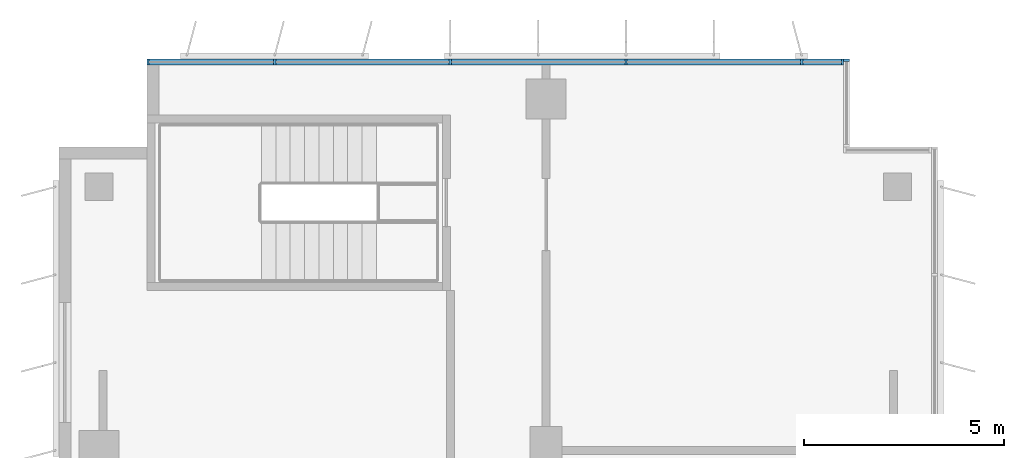
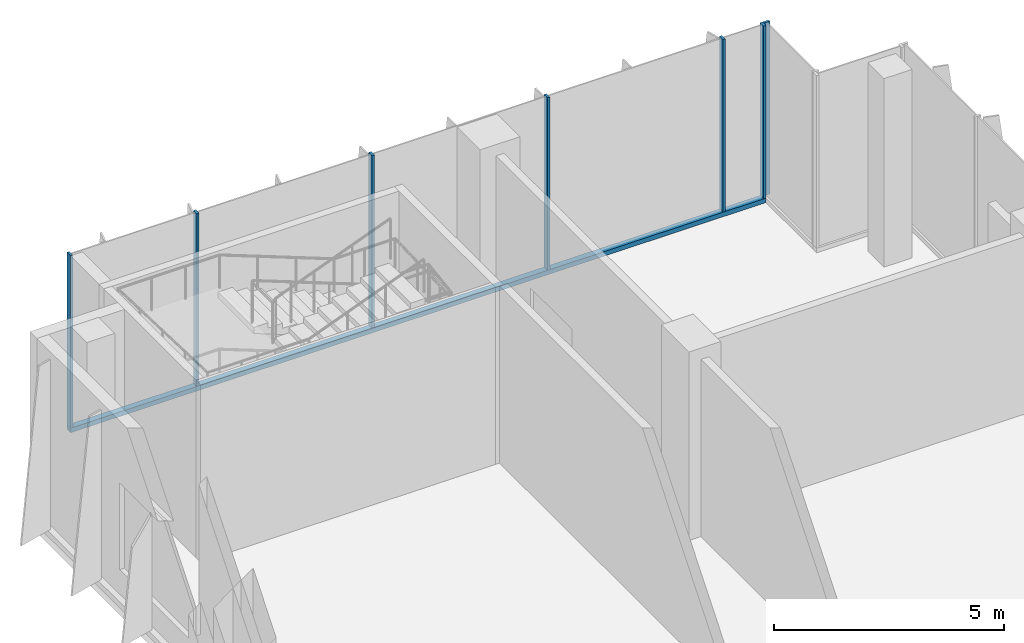
# One storey, part 8 of 17: 8 members, 2 elements without a shape of their own.
"""IFC4 building model written with IfcOpenShell, lengths in metres."""

from ifc_helpers import new_model, si_unit, direction, frame, origin, origin_2d, place, context, subcontext, project, spatial, rectangle, extrude, source, transform, mapped, material, material_profile, profile_set, type_object, element, aggregate, save


model = new_model("IFC4")

# Units and contexts
model_context = context("Model", 3, precision=1e-05, world=origin(), true_north=direction((0.0, 1.0)))
body_context = subcontext(model_context, "Body", "Model", "MODEL_VIEW")
ifc_project = project(units=[si_unit("LENGTHUNIT", "METRE"), si_unit("AREAUNIT", "SQUARE_METRE"), si_unit("VOLUMEUNIT", "CUBIC_METRE"), si_unit("PLANEANGLEUNIT", "RADIAN"), si_unit("MASSUNIT", "GRAM", prefix="KILO")], contexts=[model_context])

# Site, building, storey
site_placement = place(None, origin())
site = spatial("IfcSite", under=ifc_project, at=site_placement, CompositionType="ELEMENT")
building_placement = place(site_placement, origin())
building = spatial("IfcBuilding", under=site, at=building_placement, Name="Kemantara Hotel Tower", CompositionType="ELEMENT")
storey_placement = place(building_placement, frame((0.0, 0.0, 193.800048828125)))
storey = spatial("IfcBuildingStorey", under=building, at=storey_placement, Name="L48", CompositionType="ELEMENT", Elevation=193.800048828125)

# Curtain wall, members
ifc_material_1 = material(Name="Low-E tinted double insulated glass 36 mm", Category="glass")
curtain_wall_type = type_object("IfcCurtainWallType", Name="TOWER CURTAIN WALL, FRONT FACES", PredefinedType="USERDEFINED", material=ifc_material_1)
curtain_wall_1_placement = place(storey_placement, origin())
curtain_wall_1 = element("IfcCurtainWall", 1, at=curtain_wall_1_placement, inside=storey, type_object=curtain_wall_type, Name="CW4 L48 T3-R02-1", ObjectType="TOWER CURTAIN WALL, FRONT FACES", PredefinedType="USERDEFINED")
ifc_material_2 = material(Name="Aluminium 6063-T6 bronze anodised", Category="aluminium")
ifc_material_profile_1 = material_profile(ifc_material_2, rectangle(XDim=0.14990234375, YDim=0.1201171875, at=origin_2d()), Name="TOWER CURTAIN WALL, FRONT FACES TRANSOM")
ifc_profile_set_1 = profile_set([ifc_material_profile_1], Name="Aluminium 6063-T6 bronze anodised")
member_type_1 = type_object("IfcMemberType", Name="TOWER CURTAIN WALL, FRONT FACES TRANSOM", PredefinedType="USERDEFINED", material=ifc_profile_set_1)
member_1_placement = place(storey_placement, frame((19.64990234375, 63.52490234375, 0.06005859375), z_axis=(-1.0, 0.0, 0.0), x_axis=(0.0, -1.0, 0.0)))
member_1 = element("IfcMember", 2, at=member_1_placement, type_object=member_type_1, Name="CW4 sill transom T3-R02-1", ObjectType="TRANSOM", PredefinedType="USERDEFINED", context=body_context, shape_type="SweptSolid", body=[
    extrude(rectangle(XDim=0.14990234375, YDim=0.1201171875, at=origin_2d()), origin(), (0.0, 0.0, 1.0), 17.449951171875),
])
ifc_material_profile_2 = material_profile(ifc_material_2, rectangle(XDim=0.14990234375, YDim=0.06005859375, at=origin_2d()), Name="TOWER CURTAIN WALL, FRONT FACES MULLION")
ifc_profile_set_2 = profile_set([ifc_material_profile_2], Name="Aluminium 6063-T6 bronze anodised")
member_type_2 = type_object("IfcMemberType", Name="TOWER CURTAIN WALL, FRONT FACES MULLION", PredefinedType="MULLION", material=ifc_profile_set_2)
shared_shape = source(origin(), body_context, "Body", "SweptSolid", [
    extrude(rectangle(XDim=0.14990234375, YDim=0.06005859375, at=origin_2d()), origin(), (0.0, 0.0, 1.0), 4.580078125),
])
member_2_placement = place(storey_placement, frame((19.6201171875, 63.52490234375, 0.119873046875), z_axis=(0.0, 0.0, 1.0), x_axis=(0.0, -1.0, 0.0)))
member_2 = element("IfcMember", 3, at=member_2_placement, type_object=member_type_2, Name="CW4 mullion T3-R02-1.1", PredefinedType="MULLION", context=body_context, shape_type="MappedRepresentation", body=[
    mapped(shared_shape, transform((0.0, 0.0, 0.0))),
])
member_3_placement = place(storey_placement, frame((18.60009765625, 63.52490234375, 0.119873046875), z_axis=(0.0, 0.0, 1.0), x_axis=(0.0, -1.0, 0.0)))
member_3 = element("IfcMember", 4, at=member_3_placement, type_object=member_type_2, Name="CW4 mullion T3-R02-1.2", PredefinedType="MULLION", context=body_context, shape_type="MappedRepresentation", body=[
    mapped(shared_shape, transform((0.0, 0.0, 0.0))),
])
member_4_placement = place(storey_placement, frame((14.199951171875, 63.52490234375, 0.119873046875), z_axis=(0.0, 0.0, 1.0), x_axis=(0.0, -1.0, 0.0)))
member_4 = element("IfcMember", 5, at=member_4_placement, type_object=member_type_2, Name="CW4 mullion T3-R02-1.3", PredefinedType="MULLION", context=body_context, shape_type="MappedRepresentation", body=[
    mapped(shared_shape, transform((0.0, 0.0, 0.0))),
])
member_5_placement = place(storey_placement, frame((9.800048828125, 63.52490234375, 0.119873046875), z_axis=(0.0, 0.0, 1.0), x_axis=(0.0, -1.0, 0.0)))
member_5 = element("IfcMember", 6, at=member_5_placement, type_object=member_type_2, Name="CW4 mullion T3-R02-1.4", PredefinedType="MULLION", context=body_context, shape_type="MappedRepresentation", body=[
    mapped(shared_shape, transform((0.0, 0.0, 0.0))),
])
member_6_placement = place(storey_placement, frame((5.39990234375, 63.52490234375, 0.119873046875), z_axis=(0.0, 0.0, 1.0), x_axis=(0.0, -1.0, 0.0)))
member_6 = element("IfcMember", 7, at=member_6_placement, type_object=member_type_2, Name="CW4 mullion T3-R02-1.5", PredefinedType="MULLION", context=body_context, shape_type="MappedRepresentation", body=[
    mapped(shared_shape, transform((0.0, 0.0, 0.0))),
])
member_7_placement = place(storey_placement, frame((2.22998046875, 63.52490234375, 0.119873046875), z_axis=(0.0, 0.0, 1.0), x_axis=(0.0, -1.0, 0.0)))
member_7 = element("IfcMember", 8, at=member_7_placement, type_object=member_type_2, Name="CW4 mullion T3-R02-1.6", PredefinedType="MULLION", context=body_context, shape_type="MappedRepresentation", body=[
    mapped(shared_shape, transform((0.0, 0.0, 0.0))),
])
aggregate(curtain_wall_1, [member_1, member_2, member_3, member_4, member_5, member_6, member_7])

# Curtain wall, member
curtain_wall_2_placement = place(storey_placement, origin())
curtain_wall_2 = element("IfcCurtainWall", 9, at=curtain_wall_2_placement, inside=storey, type_object=curtain_wall_type, Name="CW4 L48 T3-R01-1", ObjectType="TOWER CURTAIN WALL, FRONT FACES", PredefinedType="USERDEFINED")
member_8_placement = place(storey_placement, frame((19.72509765625, 63.570068359375, 0.119873046875), z_axis=(0.0, 0.0, 1.0), x_axis=(-1.0, 0.0, 0.0)))
member_8 = element("IfcMember", 10, at=member_8_placement, type_object=member_type_2, Name="CW4 mullion T3-R01-1.2", PredefinedType="MULLION", context=body_context, shape_type="MappedRepresentation", body=[
    mapped(shared_shape, transform((0.0, 0.0, 0.0))),
])
aggregate(curtain_wall_2, [member_8])

save(model, "model.ifc")
